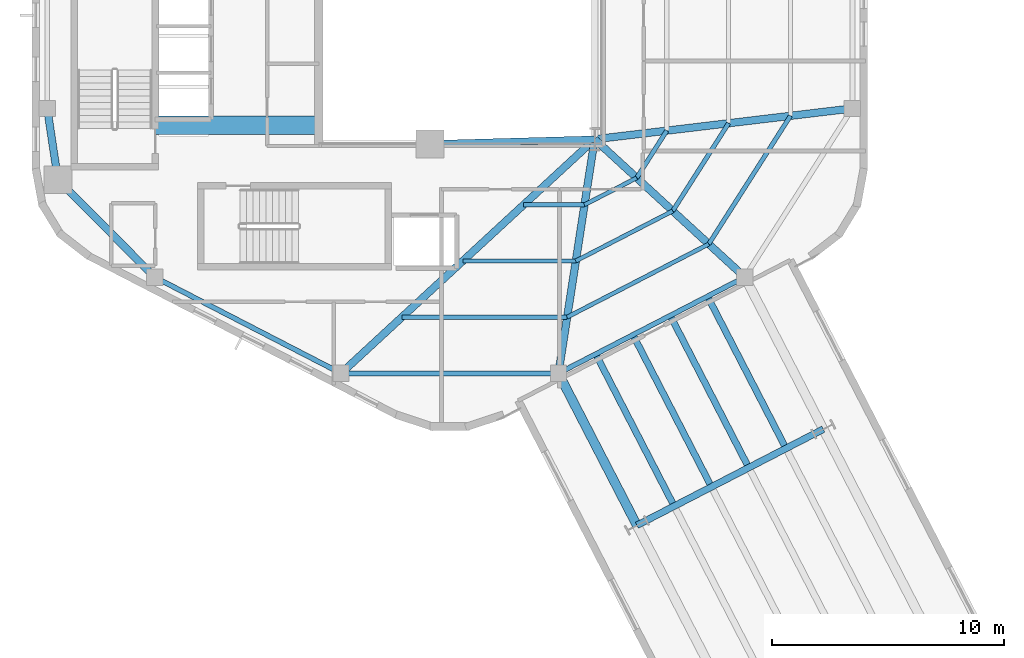
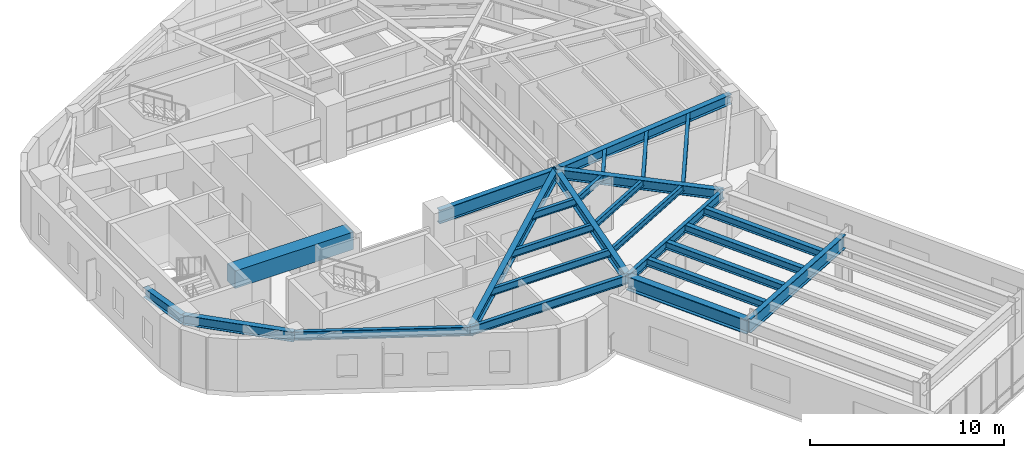
# One storey, part 3 of 11: 26 beams.
"""IFC4 building model written with IfcOpenShell, lengths in metres."""

from ifc_helpers import new_model, si_unit, direction, frame, origin, origin_2d, place, context, subcontext, project, spatial, rectangle, i_section, extrude, material, material_profile, profile_set, type_object, element, save


model = new_model("IFC4")

# Units and contexts
model_context = context("Model", 3, precision=1e-05, world=origin(), true_north=direction((0.0, 1.0)))
body_context = subcontext(model_context, "Body", "Model", "MODEL_VIEW")
ifc_project = project(units=[si_unit("LENGTHUNIT", "METRE"), si_unit("AREAUNIT", "SQUARE_METRE"), si_unit("VOLUMEUNIT", "CUBIC_METRE"), si_unit("PLANEANGLEUNIT", "RADIAN"), si_unit("MASSUNIT", "GRAM", prefix="KILO"), si_unit("THERMODYNAMICTEMPERATUREUNIT", "KELVIN"), si_unit("POWERUNIT", "WATT")], contexts=[model_context])

# Site, building, storey
site_placement = place(None, origin())
site = spatial("IfcSite", under=ifc_project, at=site_placement, CompositionType="ELEMENT")
building_placement = place(site_placement, origin())
building = spatial("IfcBuilding", under=site, at=building_placement, Name="Skarre Station Tower", CompositionType="ELEMENT")
storey_placement = place(building_placement, frame((0.0, 0.0, 241.89990234375)))
storey = spatial("IfcBuildingStorey", under=building, at=storey_placement, Name="L66", CompositionType="ELEMENT", Elevation=241.89990234375)

# Beams
ifc_material_1 = material(Name="Concrete C70/85", Category="concrete")
ifc_material_profile_1 = material_profile(ifc_material_1, rectangle(XDim=0.800048828125, YDim=1.10009765625, at=origin_2d()), Name="Concrete C70/85")
ifc_profile_set_1 = profile_set([ifc_material_profile_1], Name="Concrete C70/85")
beam_type_1 = type_object("IfcBeamType", Name="RC Core Coupling Lintel 800x1100", PredefinedType="LINTEL", material=ifc_profile_set_1)
beam_1_placement = place(storey_placement, frame((20.489990234375, 19.260009765625, 2.739990234375), z_axis=(1.0, 0.0, 0.0), x_axis=(0.0, 1.0, 0.0)))
element("IfcBeam", 1, at=beam_1_placement, inside=storey, type_object=beam_type_1, Name="L66 South Core Coupling Lintel", PredefinedType="LINTEL", context=body_context, shape_type="SweptSolid", body=[
    extrude(rectangle(XDim=0.800048828125, YDim=1.10009765625, at=origin_2d()), origin(), (0.0, 0.0, 1.0), 7.06005859375),
])
ifc_material_2 = material(Name="Steel ASTM A992 Grade 50", Category="steel")
ifc_material_profile_2 = material_profile(ifc_material_2, i_section(OverallWidth=0.323974609375, OverallDepth=0.611083984375, WebThickness=0.012939453125, FlangeThickness=0.01904296875, at=origin_2d()), Name="Steel ASTM A992 Grade 50")
ifc_profile_set_2 = profile_set([ifc_material_profile_2], Name="Steel ASTM A992 Grade 50")
beam_type_2 = type_object("IfcBeamType", Name="Steel Beam W24X104", PredefinedType="BEAM", material=ifc_profile_set_2)
beam_2_placement = place(storey_placement, frame((16.300048828125, 16.89990234375, 2.985107421875), z_axis=(-0.148739188492, 0.988876460336, 0.0), x_axis=(-0.988876460336, -0.148739188492, 0.0)))
element("IfcBeam", 2, at=beam_2_placement, inside=storey, type_object=beam_type_2, Name="L66 Radial Floor Girder F2C2", PredefinedType="BEAM", context=body_context, shape_type="SweptSolid", body=[
    extrude(i_section(OverallWidth=0.323974609375, OverallDepth=0.611083984375, WebThickness=0.012939453125, FlangeThickness=0.01904296875, at=origin_2d()), origin(), (0.0, 0.0, 1.0), 3.11376953125),
])
beam_3_placement = place(storey_placement, frame((16.300048828125, 16.89990234375, 2.985107421875), z_axis=(0.704979413242, -0.709227768002, 0.0), x_axis=(0.709227768002, 0.704979413242, 0.0)))
element("IfcBeam", 3, at=beam_3_placement, inside=storey, type_object=beam_type_2, Name="L66 Radial Floor Girder F3C1", PredefinedType="BEAM", context=body_context, shape_type="SweptSolid", body=[
    extrude(i_section(OverallWidth=0.323974609375, OverallDepth=0.611083984375, WebThickness=0.012939453125, FlangeThickness=0.01904296875, at=origin_2d()), origin(), (0.0, 0.0, 1.0), 5.919189453125),
])
beam_4_placement = place(storey_placement, frame((39.449951171875, 18.64990234375, 2.985107421875), z_axis=(-0.734822935818, -0.678258986668, 0.0), x_axis=(0.678258986668, -0.734822935818, 0.0)))
element("IfcBeam", 4, at=beam_4_placement, inside=storey, type_object=beam_type_2, Name="L66 Radial Floor Girder F3C2", PredefinedType="BEAM", context=body_context, shape_type="SweptSolid", body=[
    extrude(i_section(OverallWidth=0.323974609375, OverallDepth=0.611083984375, WebThickness=0.012939453125, FlangeThickness=0.01904296875, at=origin_2d()), origin(), (0.0, 0.0, 1.0), 14.886474609375),
])
beam_5_placement = place(storey_placement, frame((39.449951171875, 18.64990234375, 2.985107421875), z_axis=(-0.152789762931, -0.988258715288, 0.0), x_axis=(0.988258715288, -0.152789762931, 0.0)))
element("IfcBeam", 5, at=beam_5_placement, inside=storey, type_object=beam_type_2, Name="L66 Radial Floor Girder F4C1", PredefinedType="BEAM", context=body_context, shape_type="SweptSolid", body=[
    extrude(i_section(OverallWidth=0.323974609375, OverallDepth=0.611083984375, WebThickness=0.012939453125, FlangeThickness=0.01904296875, at=origin_2d()), origin(), (0.0, 0.0, 1.0), 10.216796875),
])
beam_6_placement = place(storey_placement, frame((39.449951171875, 18.64990234375, 2.985107421875), z_axis=(0.736547671183, -0.676385635621, 0.0), x_axis=(0.676385635621, 0.736547671183, 0.0)))
element("IfcBeam", 6, at=beam_6_placement, inside=storey, type_object=beam_type_2, Name="L66 Radial Floor Girder F4C2", PredefinedType="BEAM", context=body_context, shape_type="SweptSolid", body=[
    extrude(i_section(OverallWidth=0.323974609375, OverallDepth=0.611083984375, WebThickness=0.012939453125, FlangeThickness=0.01904296875, at=origin_2d()), origin(), (0.0, 0.0, 1.0), 8.793701171875),
])
beam_7_placement = place(storey_placement, frame((39.449951171875, 18.64990234375, 2.985107421875), z_axis=(0.99292393128, 0.118752122891, 0.0), x_axis=(-0.118752122891, 0.99292393128, 0.0)))
element("IfcBeam", 7, at=beam_7_placement, inside=storey, type_object=beam_type_2, Name="L66 Radial Floor Girder F5C1", PredefinedType="BEAM", context=body_context, shape_type="SweptSolid", body=[
    extrude(i_section(OverallWidth=0.323974609375, OverallDepth=0.611083984375, WebThickness=0.012939453125, FlangeThickness=0.01904296875, at=origin_2d()), origin(), (0.0, 0.0, 1.0), 11.192138671875),
])
ifc_material_profile_3 = material_profile(ifc_material_2, i_section(OverallWidth=0.2919921875, OverallDepth=0.85888671875, WebThickness=0.01708984375, FlangeThickness=0.031005859375, at=origin_2d()), Name="Steel ASTM A992 Grade 50")
ifc_profile_set_3 = profile_set([ifc_material_profile_3], Name="Steel ASTM A992 Grade 50")
beam_type_3 = type_object("IfcBeamType", Name="Steel Beam W33X169", PredefinedType="BEAM", material=ifc_profile_set_3)
beam_8_placement = place(storey_placement, frame((32.35009765625, 18.449951171875, 2.861083984375), z_axis=(0.999603666405, 0.028151556095, 0.0), x_axis=(-0.028151556095, 0.999603666405, 0.0)))
element("IfcBeam", 8, at=beam_8_placement, inside=storey, type_object=beam_type_3, Name="L66 Atrium South Edge Girder", PredefinedType="BEAM", context=body_context, shape_type="SweptSolid", body=[
    extrude(i_section(OverallWidth=0.2919921875, OverallDepth=0.85888671875, WebThickness=0.01708984375, FlangeThickness=0.031005859375, at=origin_2d()), origin(), (0.0, 0.0, 1.0), 7.102783203125),
])
beam_9_placement = place(storey_placement, frame((41.27392578125, 1.9951171875, 2.836181640625), z_axis=(0.888610011727, 0.458663544505, 0.0), x_axis=(-0.458663544505, 0.888610011727, 0.0)))
element("IfcBeam", 9, at=beam_9_placement, inside=storey, type_object=beam_type_3, Name="L66 SB-5 Mid Transverse Girder", PredefinedType="BEAM", context=body_context, shape_type="SweptSolid", body=[
    extrude(i_section(OverallWidth=0.2919921875, OverallDepth=0.85888671875, WebThickness=0.01708984375, FlangeThickness=0.031005859375, at=origin_2d()), origin(), (0.0, 0.0, 1.0), 9.045654296875),
])
ifc_material_profile_4 = material_profile(ifc_material_2, i_section(OverallWidth=0.40087890625, OverallDepth=0.876953125, WebThickness=0.02197265625, FlangeThickness=0.0400390625, at=origin_2d()), Name="Steel ASTM A992 Grade 50")
ifc_profile_set_4 = profile_set([ifc_material_profile_4], Name="Steel ASTM A992 Grade 50")
beam_type_4 = type_object("IfcBeamType", Name="Steel Beam W33X263", PredefinedType="BEAM", material=ifc_profile_set_4)
beam_10_placement = place(storey_placement, frame((37.888916015625, 8.552978515625, 2.826171875), z_axis=(0.45867578355, -0.888603694334, 0.0), x_axis=(0.888603694334, 0.45867578355, 0.0)))
element("IfcBeam", 10, at=beam_10_placement, inside=storey, type_object=beam_type_4, Name="L66 SB-5 Side 1 Inner Girder", PredefinedType="BEAM", context=body_context, shape_type="SweptSolid", body=[
    extrude(i_section(OverallWidth=0.40087890625, OverallDepth=0.876953125, WebThickness=0.02197265625, FlangeThickness=0.0400390625, at=origin_2d()), origin(), (0.0, 0.0, 1.0), 7.3798828125),
])
ifc_material_profile_5 = material_profile(ifc_material_2, i_section(OverallWidth=0.177978515625, OverallDepth=0.403076171875, WebThickness=0.008056640625, FlangeThickness=0.010986328125, at=origin_2d()), Name="Steel ASTM A992 Grade 50")
ifc_profile_set_5 = profile_set([ifc_material_profile_5], Name="Steel ASTM A992 Grade 50")
beam_type_5 = type_object("IfcBeamType", Name="Steel Joist W16X36", PredefinedType="JOIST", material=ifc_profile_set_5)
beam_11_placement = place(storey_placement, frame((39.012939453125, 15.822998046875, 3.088134765625), z_axis=(0.888569970054, 0.458741112522, 0.0), x_axis=(-0.458741112522, 0.888569970054, 0.0)))
element("IfcBeam", 11, at=beam_11_placement, inside=storey, type_object=beam_type_5, Name="L66 Auxiliary Composite Joist 15", PredefinedType="JOIST", context=body_context, shape_type="SweptSolid", body=[
    extrude(i_section(OverallWidth=0.177978515625, OverallDepth=0.403076171875, WebThickness=0.008056640625, FlangeThickness=0.010986328125, at=origin_2d()), origin(), (0.0, 0.0, 1.0), 2.533203125),
])
beam_12_placement = place(storey_placement, frame((38.637939453125, 13.39990234375, 3.088134765625), z_axis=(0.88866637077, 0.458554338614, 0.0), x_axis=(-0.458554338614, 0.88866637077, 0.0)))
element("IfcBeam", 12, at=beam_12_placement, inside=storey, type_object=beam_type_5, Name="L66 Auxiliary Composite Joist 16", PredefinedType="JOIST", context=body_context, shape_type="SweptSolid", body=[
    extrude(i_section(OverallWidth=0.177978515625, OverallDepth=0.403076171875, WebThickness=0.008056640625, FlangeThickness=0.010986328125, at=origin_2d()), origin(), (0.0, 0.0, 1.0), 4.703857421875),
])
beam_13_placement = place(storey_placement, frame((38.263916015625, 10.97607421875, 3.088134765625), z_axis=(0.888578636, 0.458724326414, 0.0), x_axis=(-0.458724326414, 0.888578636, 0.0)))
element("IfcBeam", 13, at=beam_13_placement, inside=storey, type_object=beam_type_5, Name="L66 Auxiliary Composite Joist 17", PredefinedType="JOIST", context=body_context, shape_type="SweptSolid", body=[
    extrude(i_section(OverallWidth=0.177978515625, OverallDepth=0.403076171875, WebThickness=0.008056640625, FlangeThickness=0.010986328125, at=origin_2d()), origin(), (0.0, 0.0, 1.0), 6.875244140625),
])
ifc_material_profile_6 = material_profile(ifc_material_2, i_section(OverallWidth=0.19091796875, OverallDepth=0.45703125, WebThickness=0.009033203125, FlangeThickness=0.013916015625, at=origin_2d()), Name="Steel ASTM A992 Grade 50")
ifc_profile_set_6 = profile_set([ifc_material_profile_6], Name="Steel ASTM A992 Grade 50")
beam_type_6 = type_object("IfcBeamType", Name="Steel Joist W18X50", PredefinedType="JOIST", material=ifc_profile_set_6)
beam_14_placement = place(storey_placement, frame((36.386962890625, 15.822998046875, 3.06201171875), z_axis=(1.0, 0.0, 0.0), x_axis=(0.0, 1.0, 0.0)))
element("IfcBeam", 14, at=beam_14_placement, inside=storey, type_object=beam_type_6, Name="L66 Auxiliary Composite Joist 12", PredefinedType="JOIST", context=body_context, shape_type="SweptSolid", body=[
    extrude(i_section(OverallWidth=0.19091796875, OverallDepth=0.45703125, WebThickness=0.009033203125, FlangeThickness=0.013916015625, at=origin_2d()), origin(), (0.0, 0.0, 1.0), 2.6259765625),
])
beam_15_placement = place(storey_placement, frame((33.761962890625, 13.39990234375, 3.06201171875), z_axis=(1.0, 0.0, 0.0), x_axis=(0.0, 1.0, 0.0)))
element("IfcBeam", 15, at=beam_15_placement, inside=storey, type_object=beam_type_6, Name="L66 Auxiliary Composite Joist 13", PredefinedType="JOIST", context=body_context, shape_type="SweptSolid", body=[
    extrude(i_section(OverallWidth=0.19091796875, OverallDepth=0.45703125, WebThickness=0.009033203125, FlangeThickness=0.013916015625, at=origin_2d()), origin(), (0.0, 0.0, 1.0), 4.8759765625),
])
beam_16_placement = place(storey_placement, frame((31.135986328125, 10.97607421875, 3.06201171875), z_axis=(1.0, 0.0, 0.0), x_axis=(0.0, 1.0, 0.0)))
element("IfcBeam", 16, at=beam_16_placement, inside=storey, type_object=beam_type_6, Name="L66 Auxiliary Composite Joist 14", PredefinedType="JOIST", context=body_context, shape_type="SweptSolid", body=[
    extrude(i_section(OverallWidth=0.19091796875, OverallDepth=0.45703125, WebThickness=0.009033203125, FlangeThickness=0.013916015625, at=origin_2d()), origin(), (0.0, 0.0, 1.0), 7.1279296875),
])
beam_17_placement = place(storey_placement, frame((41.263916015625, 16.985107421875, 3.06201171875), z_axis=(0.537437848622, 0.843303361116, 0.0), x_axis=(-0.843303361116, 0.537437848622, 0.0)))
element("IfcBeam", 17, at=beam_17_placement, inside=storey, type_object=beam_type_6, Name="L66 Auxiliary Composite Joist 18", PredefinedType="JOIST", context=body_context, shape_type="SweptSolid", body=[
    extrude(i_section(OverallWidth=0.19091796875, OverallDepth=0.45703125, WebThickness=0.009033203125, FlangeThickness=0.013916015625, at=origin_2d()), origin(), (0.0, 0.0, 1.0), 2.415283203125),
])
beam_18_placement = place(storey_placement, frame((42.818115234375, 15.556884765625, 3.06201171875), z_axis=(0.53731551376, 0.843381312737, 0.0), x_axis=(-0.843381312737, 0.53731551376, 0.0)))
element("IfcBeam", 18, at=beam_18_placement, inside=storey, type_object=beam_type_6, Name="L66 Auxiliary Composite Joist 19", PredefinedType="JOIST", context=body_context, shape_type="SweptSolid", body=[
    extrude(i_section(OverallWidth=0.19091796875, OverallDepth=0.45703125, WebThickness=0.009033203125, FlangeThickness=0.013916015625, at=origin_2d()), origin(), (0.0, 0.0, 1.0), 4.48681640625),
])
beam_19_placement = place(storey_placement, frame((44.373046875, 14.1298828125, 3.06201171875), z_axis=(0.537292232804, 0.843396144507, 0.0), x_axis=(-0.843396144507, 0.537292232804, 0.0)))
element("IfcBeam", 19, at=beam_19_placement, inside=storey, type_object=beam_type_6, Name="L66 Auxiliary Composite Joist 20", PredefinedType="JOIST", context=body_context, shape_type="SweptSolid", body=[
    extrude(i_section(OverallWidth=0.19091796875, OverallDepth=0.45703125, WebThickness=0.009033203125, FlangeThickness=0.013916015625, at=origin_2d()), origin(), (0.0, 0.0, 1.0), 6.556884765625),
])
ifc_material_profile_7 = material_profile(ifc_material_2, i_section(OverallWidth=0.280029296875, OverallDepth=0.462890625, WebThickness=0.010986328125, FlangeThickness=0.01708984375, at=origin_2d()), Name="Steel ASTM A992 Grade 50")
ifc_profile_set_7 = profile_set([ifc_material_profile_7], Name="Steel ASTM A992 Grade 50")
beam_type_7 = type_object("IfcBeamType", Name="Steel Joist W18X76", PredefinedType="JOIST", material=ifc_profile_set_7)
for number, where, z_axis, x_axis, name in (
    (20, (39.4970703125, 9.383056640625, 3.033203125), (0.458648076258, -0.888617995623, 0.0), (0.888617995623, 0.458648076258, 0.0), "L66 SB-5 Inner Deck Joist 1"),
    (21, (41.10400390625, 10.212890625, 3.033203125), (0.458688468876, -0.888597146361, 0.0), (0.888597146361, 0.458688468876, 0.0), "L66 SB-5 Inner Deck Joist 2"),
    (22, (42.7119140625, 11.0419921875, 3.033203125), (0.458688468876, -0.888597146361, 0.0), (0.888597146361, 0.458688468876, 0.0), "L66 SB-5 Inner Deck Joist 3"),
    (23, (44.319091796875, 11.8720703125, 3.033203125), (0.458648076258, -0.888617995623, 0.0), (0.888617995623, 0.458648076258, 0.0), "L66 SB-5 Inner Deck Joist 4"),
):
    element("IfcBeam", number, at=place(storey_placement, frame(where, z_axis=z_axis, x_axis=x_axis)), inside=storey, type_object=beam_type_7, Name=name, PredefinedType="JOIST", context=body_context, shape_type="SweptSolid", body=[
        extrude(i_section(OverallWidth=0.280029296875, OverallDepth=0.462890625, WebThickness=0.010986328125, FlangeThickness=0.01708984375, at=origin_2d()), origin(), (0.0, 0.0, 1.0), 7.236083984375),
    ])
ifc_material_profile_8 = material_profile(ifc_material_2, i_section(OverallWidth=0.214111328125, OverallDepth=0.549072265625, WebThickness=0.014892578125, FlangeThickness=0.02392578125, at=origin_2d()), Name="Steel ASTM A992 Grade 50")
ifc_profile_set_8 = profile_set([ifc_material_profile_8], Name="Steel ASTM A992 Grade 50")
beam_type_8 = type_object("IfcBeamType", Name="Steel Spandrel W21X93", PredefinedType="SPANDREL", material=ifc_profile_set_8)
beam_20_placement = place(storey_placement, frame((20.472900390625, 12.701904296875, 3.01611328125), z_axis=(0.888610011727, -0.458663544505, 0.0), x_axis=(0.458663544505, 0.888610011727, 0.0)))
element("IfcBeam", 24, at=beam_20_placement, inside=storey, type_object=beam_type_8, Name="L66 Facet Spandrel Beam 7", PredefinedType="SPANDREL", context=body_context, shape_type="SweptSolid", body=[
    extrude(i_section(OverallWidth=0.214111328125, OverallDepth=0.549072265625, WebThickness=0.014892578125, FlangeThickness=0.02392578125, at=origin_2d()), origin(), (0.0, 0.0, 1.0), 9.045654296875),
])
beam_21_placement = place(storey_placement, frame((28.510986328125, 8.552978515625, 3.01611328125), z_axis=(1.0, 0.0, 0.0), x_axis=(0.0, 1.0, 0.0)))
element("IfcBeam", 25, at=beam_21_placement, inside=storey, type_object=beam_type_8, Name="L66 Facet Spandrel Beam 8", PredefinedType="SPANDREL", context=body_context, shape_type="SweptSolid", body=[
    extrude(i_section(OverallWidth=0.214111328125, OverallDepth=0.549072265625, WebThickness=0.014892578125, FlangeThickness=0.02392578125, at=origin_2d()), origin(), (0.0, 0.0, 1.0), 9.3779296875),
])
beam_22_placement = place(storey_placement, frame((37.888916015625, 8.552978515625, 3.01611328125), z_axis=(0.888610011727, 0.458663544505, 0.0), x_axis=(-0.458663544505, 0.888610011727, 0.0)))
element("IfcBeam", 26, at=beam_22_placement, inside=storey, type_object=beam_type_8, Name="L66 Facet Spandrel Beam 9", PredefinedType="SPANDREL", context=body_context, shape_type="SweptSolid", body=[
    extrude(i_section(OverallWidth=0.214111328125, OverallDepth=0.549072265625, WebThickness=0.014892578125, FlangeThickness=0.02392578125, at=origin_2d()), origin(), (0.0, 0.0, 1.0), 9.045654296875),
])

save(model, "model.ifc")
